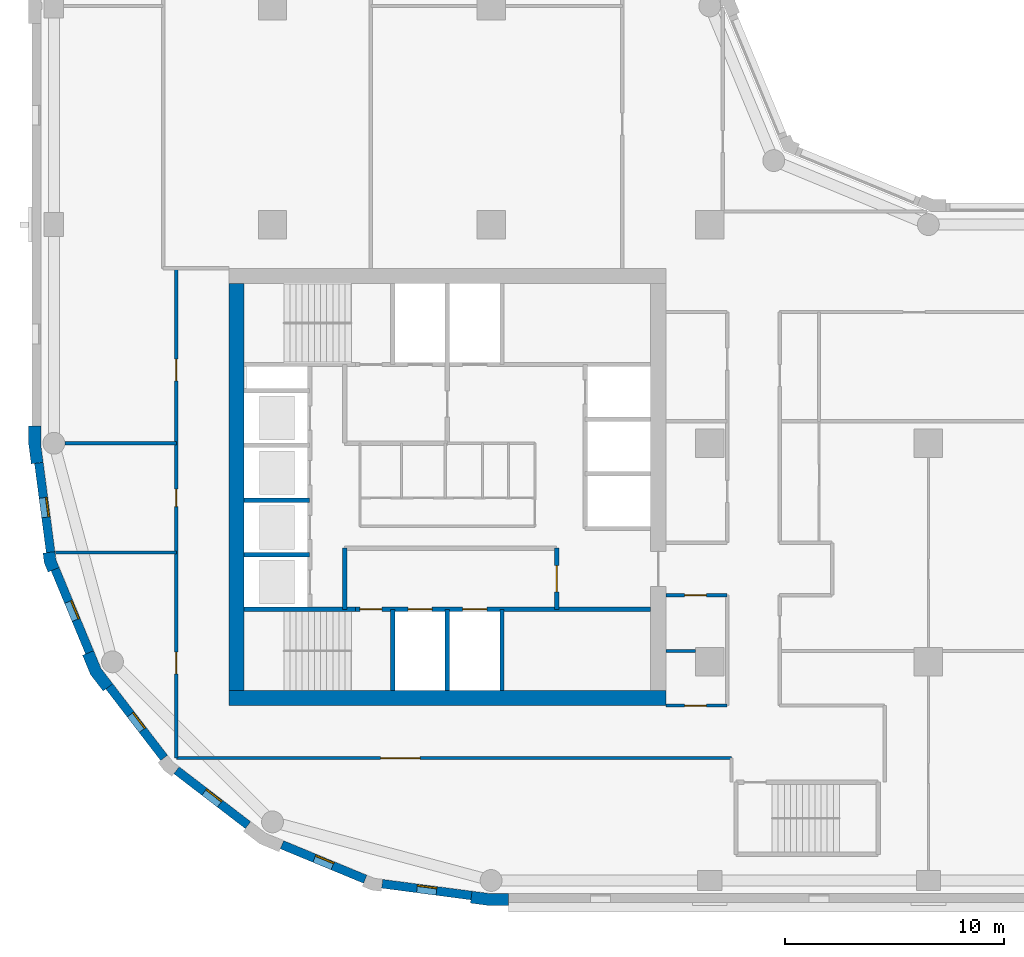
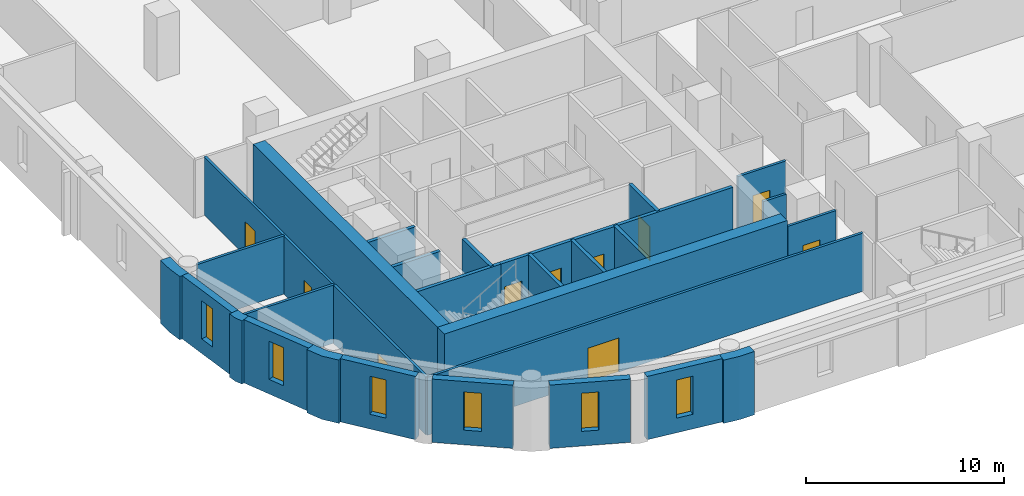
# One storey, part 2 of 10: 28 walls, 10 doors, 6 windows, 16 openings.
"""IFC4 building model written with IfcOpenShell, lengths in metres."""

from ifc_helpers import new_model, si_unit, direction, frame, frame_2d, origin, place, context, subcontext, project, spatial, polyline, rectangle, outline, extrude, material, layer, layer_set, type_object, element, fill, save


model = new_model("IFC4")

# Units and contexts
model_context = context("Model", 3, precision=1e-05, world=origin(), true_north=direction((0.0, 1.0)))
body_context = subcontext(model_context, "Body", "Model", "MODEL_VIEW")
ifc_project = project(units=[si_unit("LENGTHUNIT", "METRE"), si_unit("AREAUNIT", "SQUARE_METRE"), si_unit("VOLUMEUNIT", "CUBIC_METRE"), si_unit("PLANEANGLEUNIT", "RADIAN"), si_unit("MASSUNIT", "GRAM", prefix="KILO")], contexts=[model_context])

# Site, building, storey
site_placement = place(None, origin())
site = spatial("IfcSite", under=ifc_project, at=site_placement, CompositionType="ELEMENT")
building_placement = place(site_placement, origin())
building = spatial("IfcBuilding", under=site, at=building_placement, Name="Qaws Garden Tower", CompositionType="ELEMENT")
storey_placement = place(building_placement, frame((0.0, 0.0, 186.300048828125)))
storey = spatial("IfcBuildingStorey", under=building, at=storey_placement, Name="L45", CompositionType="ELEMENT", Elevation=186.300048828125)

# Wall, opening, window
ifc_material_1 = material(Name="Clay facing brick masonry", Category="masonry")
ifc_layer_1 = layer(ifc_material_1, 0.39990234375)
ifc_layer_set_1 = layer_set([ifc_layer_1], Name="Clay facing brick masonry")
wall_type_1 = type_object("IfcWallType", Name="Brick infill wall 400", PredefinedType="SOLIDWALL", material=ifc_layer_set_1)
wall_1_placement = place(storey_placement, frame((-0.688720703125, 19.102294921875, 0.0), z_axis=(0.0, 0.0, 1.0), x_axis=(0.130514280502, -0.991446429508, 0.0)))
wall_1 = element("IfcWall", 1, at=wall_1_placement, inside=storey, type_object=wall_type_1, Name="E-L45-infill-25", PredefinedType="SOLIDWALL", context=body_context, shape_type="SweptSolid", body=[
    extrude(rectangle(XDim=4.120849609375, YDim=0.39990234375, at=frame_2d((2.060546875, 0.0))), origin(), (0.0, 0.0, 1.0), 3.89990234375),
])
opening_1_placement = place(wall_1_placement, frame((1.610595703125, 0.0, 0.89990234375)))
opening_1 = element("IfcOpeningElement", 2, at=opening_1_placement, cuts=wall_1, Name="Opening W09", PredefinedType="OPENING", context=body_context, shape_type="SweptSolid", body=[
    extrude(rectangle(XDim=0.89990234375, YDim=2.35009765625, at=frame_2d((0.449951171875, 1.175048828125))), frame((0.0, 0.2099609375, 0.0), z_axis=(0.0, -1.0, 0.0), x_axis=(1.0, 0.0, 0.0)), (0.0, 0.0, 1.0), 0.419921875),
])
ifc_material_2 = material(Name="Aluminium framed window, clear glazing", Category="aluminium")
window_type = type_object("IfcWindowType", Name="Slit window 900 x 2350", PartitioningType="SINGLE_PANEL", PredefinedType="WINDOW", material=ifc_material_2)
window_1_placement = place(opening_1_placement, origin())
window_1 = element("IfcWindow", 3, at=window_1_placement, inside=storey, type_object=window_type, Name="E-L45-window-25-0", OverallHeight=2.35009765625, OverallWidth=0.89990234375, PartitioningType="SINGLE_PANEL", PredefinedType="WINDOW", context=body_context, shape_type="SweptSolid", body=[
    extrude(rectangle(XDim=0.89990234375, YDim=2.35009765625, at=frame_2d((0.449951171875, 1.175048828125))), frame((0.0, 0.159912109375, 0.0), z_axis=(0.0, -1.0, 0.0), x_axis=(1.0, 0.0, 0.0)), (0.0, 0.0, 1.0), 0.06005859375),
])
fill(opening_1, window_1)

wall_2_placement = place(storey_placement, frame((0.05712890625, 14.240234375, 0.0), z_axis=(0.0, 0.0, 1.0), x_axis=(0.382721546029, -0.923863744394, 0.0)))
wall_2 = element("IfcWall", 4, at=wall_2_placement, inside=storey, type_object=wall_type_1, Name="E-L45-infill-26", PredefinedType="SOLIDWALL", context=body_context, shape_type="SweptSolid", body=[
    extrude(rectangle(XDim=4.120849609375, YDim=0.39990234375, at=frame_2d((2.060546875, 0.0))), origin(), (0.0, 0.0, 1.0), 3.89990234375),
])
opening_2_placement = place(wall_2_placement, frame((1.610595703125, 0.0, 0.89990234375)))
opening_2 = element("IfcOpeningElement", 5, at=opening_2_placement, cuts=wall_2, Name="Opening W09", PredefinedType="OPENING", context=body_context, shape_type="SweptSolid", body=[
    extrude(rectangle(XDim=0.89990234375, YDim=2.35009765625, at=frame_2d((0.449951171875, 1.175048828125))), frame((0.0, 0.2099609375, 0.0), z_axis=(0.0, -1.0, 0.0), x_axis=(1.0, 0.0, 0.0)), (0.0, 0.0, 1.0), 0.419921875),
])
window_2_placement = place(opening_2_placement, origin())
window_2 = element("IfcWindow", 6, at=window_2_placement, inside=storey, type_object=window_type, Name="E-L45-window-26-0", OverallHeight=2.35009765625, OverallWidth=0.89990234375, PartitioningType="SINGLE_PANEL", PredefinedType="WINDOW", context=body_context, shape_type="SweptSolid", body=[
    extrude(rectangle(XDim=0.89990234375, YDim=2.35009765625, at=frame_2d((0.449951171875, 1.175048828125))), frame((0.0, 0.159912109375, 0.0), z_axis=(0.0, -1.0, 0.0), x_axis=(1.0, 0.0, 0.0)), (0.0, 0.0, 1.0), 0.06005859375),
])
fill(opening_2, window_2)

wall_3_placement = place(storey_placement, frame((2.53173828125, 8.87841796875, 0.0), z_axis=(0.0, 0.0, 1.0), x_axis=(0.608759824817, -0.793354571229, 0.0)))
wall_3 = element("IfcWall", 7, at=wall_3_placement, inside=storey, type_object=wall_type_1, Name="E-L45-infill-27", PredefinedType="SOLIDWALL", context=body_context, shape_type="SweptSolid", body=[
    extrude(rectangle(XDim=4.12109375, YDim=0.39990234375, at=frame_2d((2.060546875, 0.0))), origin(), (0.0, 0.0, 1.0), 3.89990234375),
])
opening_3_placement = place(wall_3_placement, frame((1.610595703125, 0.0, 0.89990234375)))
opening_3 = element("IfcOpeningElement", 8, at=opening_3_placement, cuts=wall_3, Name="Opening W09", PredefinedType="OPENING", context=body_context, shape_type="SweptSolid", body=[
    extrude(rectangle(XDim=0.89990234375, YDim=2.35009765625, at=frame_2d((0.449951171875, 1.175048828125))), frame((0.0, 0.2099609375, 0.0), z_axis=(0.0, -1.0, 0.0), x_axis=(1.0, 0.0, 0.0)), (0.0, 0.0, 1.0), 0.419921875),
])
window_3_placement = place(opening_3_placement, origin())
window_3 = element("IfcWindow", 9, at=window_3_placement, inside=storey, type_object=window_type, Name="E-L45-window-27-0", OverallHeight=2.35009765625, OverallWidth=0.89990234375, PartitioningType="SINGLE_PANEL", PredefinedType="WINDOW", context=body_context, shape_type="SweptSolid", body=[
    extrude(rectangle(XDim=0.89990234375, YDim=2.35009765625, at=frame_2d((0.449951171875, 1.175048828125))), frame((0.0, 0.159912109375, 0.0), z_axis=(0.0, -1.0, 0.0), x_axis=(1.0, 0.0, 0.0)), (0.0, 0.0, 1.0), 0.06005859375),
])
fill(opening_3, window_3)

wall_4_placement = place(storey_placement, frame((5.60888671875, 5.04052734375, 0.0), z_axis=(0.0, 0.0, 1.0), x_axis=(0.793354571229, -0.608759824817, 0.0)))
wall_4 = element("IfcWall", 10, at=wall_4_placement, inside=storey, type_object=wall_type_1, Name="E-L45-infill-28", PredefinedType="SOLIDWALL", context=body_context, shape_type="SweptSolid", body=[
    extrude(rectangle(XDim=4.12109375, YDim=0.39990234375, at=frame_2d((2.060546875, 0.0))), origin(), (0.0, 0.0, 1.0), 3.89990234375),
])
opening_4_placement = place(wall_4_placement, frame((1.610595703125, 0.0, 0.89990234375)))
opening_4 = element("IfcOpeningElement", 11, at=opening_4_placement, cuts=wall_4, Name="Opening W09", PredefinedType="OPENING", context=body_context, shape_type="SweptSolid", body=[
    extrude(rectangle(XDim=0.89990234375, YDim=2.35009765625, at=frame_2d((0.449951171875, 1.175048828125))), frame((0.0, 0.2099609375, 0.0), z_axis=(0.0, -1.0, 0.0), x_axis=(1.0, 0.0, 0.0)), (0.0, 0.0, 1.0), 0.419921875),
])
window_4_placement = place(opening_4_placement, origin())
window_4 = element("IfcWindow", 12, at=window_4_placement, inside=storey, type_object=window_type, Name="E-L45-window-28-0", OverallHeight=2.35009765625, OverallWidth=0.89990234375, PartitioningType="SINGLE_PANEL", PredefinedType="WINDOW", context=body_context, shape_type="SweptSolid", body=[
    extrude(rectangle(XDim=0.89990234375, YDim=2.35009765625, at=frame_2d((0.449951171875, 1.175048828125))), frame((0.0, 0.159912109375, 0.0), z_axis=(0.0, -1.0, 0.0), x_axis=(1.0, 0.0, 0.0)), (0.0, 0.0, 1.0), 0.06005859375),
])
fill(opening_4, window_4)

wall_5_placement = place(storey_placement, frame((10.43310546875, 1.63427734375, 0.0), z_axis=(0.0, 0.0, 1.0), x_axis=(0.923863744394, -0.382721546029, 0.0)))
wall_5 = element("IfcWall", 13, at=wall_5_placement, inside=storey, type_object=wall_type_1, Name="E-L45-infill-29", PredefinedType="SOLIDWALL", context=body_context, shape_type="SweptSolid", body=[
    extrude(rectangle(XDim=4.120849609375, YDim=0.39990234375, at=frame_2d((2.060546875, 0.0))), origin(), (0.0, 0.0, 1.0), 3.89990234375),
])
opening_5_placement = place(wall_5_placement, frame((1.610595703125, 0.0, 0.89990234375)))
opening_5 = element("IfcOpeningElement", 14, at=opening_5_placement, cuts=wall_5, Name="Opening W09", PredefinedType="OPENING", context=body_context, shape_type="SweptSolid", body=[
    extrude(rectangle(XDim=0.89990234375, YDim=2.35009765625, at=frame_2d((0.449951171875, 1.175048828125))), frame((0.0, 0.2099609375, 0.0), z_axis=(0.0, -1.0, 0.0), x_axis=(1.0, 0.0, 0.0)), (0.0, 0.0, 1.0), 0.419921875),
])
window_5_placement = place(opening_5_placement, origin())
window_5 = element("IfcWindow", 15, at=window_5_placement, inside=storey, type_object=window_type, Name="E-L45-window-29-0", OverallHeight=2.35009765625, OverallWidth=0.89990234375, PartitioningType="SINGLE_PANEL", PredefinedType="WINDOW", context=body_context, shape_type="SweptSolid", body=[
    extrude(rectangle(XDim=0.89990234375, YDim=2.35009765625, at=frame_2d((0.449951171875, 1.175048828125))), frame((0.0, 0.159912109375, 0.0), z_axis=(0.0, -1.0, 0.0), x_axis=(1.0, 0.0, 0.0)), (0.0, 0.0, 1.0), 0.06005859375),
])
fill(opening_5, window_5)

wall_6_placement = place(storey_placement, frame((15.0166015625, -0.15087890625, 0.0), z_axis=(0.0, 0.0, 1.0), x_axis=(0.991446429508, -0.130514280502, 0.0)))
wall_6 = element("IfcWall", 16, at=wall_6_placement, inside=storey, type_object=wall_type_1, Name="E-L45-infill-30", PredefinedType="SOLIDWALL", context=body_context, shape_type="SweptSolid", body=[
    extrude(rectangle(XDim=4.120849609375, YDim=0.39990234375, at=frame_2d((2.060546875, 0.0))), origin(), (0.0, 0.0, 1.0), 3.89990234375),
])
opening_6_placement = place(wall_6_placement, frame((1.610595703125, 0.0, 0.89990234375)))
opening_6 = element("IfcOpeningElement", 17, at=opening_6_placement, cuts=wall_6, Name="Opening W09", PredefinedType="OPENING", context=body_context, shape_type="SweptSolid", body=[
    extrude(rectangle(XDim=0.89990234375, YDim=2.35009765625, at=frame_2d((0.449951171875, 1.175048828125))), frame((0.0, 0.2099609375, 0.0), z_axis=(0.0, -1.0, 0.0), x_axis=(1.0, 0.0, 0.0)), (0.0, 0.0, 1.0), 0.419921875),
])
window_6_placement = place(opening_6_placement, origin())
window_6 = element("IfcWindow", 18, at=window_6_placement, inside=storey, type_object=window_type, Name="E-L45-window-30-0", OverallHeight=2.35009765625, OverallWidth=0.89990234375, PartitioningType="SINGLE_PANEL", PredefinedType="WINDOW", context=body_context, shape_type="SweptSolid", body=[
    extrude(rectangle(XDim=0.89990234375, YDim=2.35009765625, at=frame_2d((0.449951171875, 1.175048828125))), frame((0.0, 0.159912109375, 0.0), z_axis=(0.0, -1.0, 0.0), x_axis=(1.0, 0.0, 0.0)), (0.0, 0.0, 1.0), 0.06005859375),
])
fill(opening_6, window_6)

# Walls
ifc_material_3 = material(Name="Clay facing brick masonry", Category="masonry")
ifc_layer_2 = layer(ifc_material_3, 0.550048828125)
ifc_layer_set_2 = layer_set([ifc_layer_2], Name="Clay facing brick masonry")
wall_type_2 = type_object("IfcWallType", Name="Brick kink pier 550 x 600", PredefinedType="SOLIDWALL", material=ifc_layer_set_2)
placement = place(storey_placement, origin())
element("IfcWall", 19, at=placement, inside=storey, type_object=wall_type_2, Name="E-L45-pier-26", PredefinedType="SOLIDWALL", context=body_context, shape_type="SweptSolid", body=[
    extrude(outline(polyline([(-0.34912109375, 14.990478515625), (-0.497802734375, 14.970947265625), (-0.43896484375, 14.5234375), (-0.26611328125, 14.1064453125), (-0.127685546875, 14.163818359375), (0.241943359375, 14.31689453125), (0.096923828125, 14.6669921875), (0.04736328125, 15.042724609375), (-0.34912109375, 14.990478515625)])), origin(), (0.0, 0.0, 1.0), 3.89990234375),
])
ifc_material_4 = material(Name="Clay facing brick masonry", Category="masonry")
ifc_layer_3 = layer(ifc_material_4, 0.550048828125)
ifc_layer_set_3 = layer_set([ifc_layer_3], Name="Clay facing brick masonry")
wall_type_3 = type_object("IfcWallType", Name="Brick pier 550 x 1600", PredefinedType="SOLIDWALL", material=ifc_layer_set_3)
element("IfcWall", 20, at=placement, inside=storey, type_object=wall_type_3, Name="E-L45-pier-00", PredefinedType="SOLIDWALL", context=body_context, shape_type="SweptSolid", body=[
    extrude(outline(polyline([(19.076416015625, -0.886962890625), (19.056640625, -1.03564453125), (19.924560546875, -1.14990234375), (20.800048828125, -1.14990234375), (20.800048828125, -1.0), (20.800048828125, -0.60009765625), (19.960693359375, -0.60009765625), (19.12841796875, -0.490478515625), (19.076416015625, -0.886962890625)])), origin(), (0.0, 0.0, 1.0), 3.89990234375),
])
element("IfcWall", 21, at=placement, inside=storey, type_object=wall_type_3, Name="E-L45-pier-25", PredefinedType="SOLIDWALL", context=body_context, shape_type="SweptSolid", body=[
    extrude(outline(polyline([(-1.0, 20.800048828125), (-1.14990234375, 20.800048828125), (-1.14990234375, 19.924560546875), (-1.03564453125, 19.056640625), (-0.886962890625, 19.076416015625), (-0.490478515625, 19.12841796875), (-0.60009765625, 19.960693359375), (-0.60009765625, 20.800048828125), (-1.0, 20.800048828125)])), origin(), (0.0, 0.0, 1.0), 3.89990234375),
])
element("IfcWall", 22, at=placement, inside=storey, type_object=wall_type_3, Name="E-L45-pier-27", PredefinedType="SOLIDWALL", context=body_context, shape_type="SweptSolid", body=[
    extrude(outline(polyline([(1.449462890625, 10.3564453125), (1.310791015625, 10.299072265625), (1.675048828125, 9.419921875), (2.254150390625, 8.665283203125), (2.373046875, 8.756591796875), (2.6904296875, 9.0), (2.1552734375, 9.697509765625), (1.819091796875, 10.509521484375), (1.449462890625, 10.3564453125)])), origin(), (0.0, 0.0, 1.0), 3.89990234375),
])
ifc_material_5 = material(Name="Concrete C70", Category="concrete")
ifc_layer_4 = layer(ifc_material_5, 0.199951171875)
ifc_layer_set_4 = layer_set([ifc_layer_4], Name="Concrete C70")
wall_type_4 = type_object("IfcWallType", Name="Core shaft wall 200 C70", PredefinedType="SHEAR", material=ifc_layer_set_4)
wall_11_placement = place(storey_placement, frame((8.699951171875, 12.39990234375, 0.0), z_axis=(0.0, 0.0, 1.0), x_axis=(1.0, 0.0, 0.0)))
element("IfcWall", 23, at=wall_11_placement, inside=storey, type_object=wall_type_4, Name="Shaft wall", PredefinedType="SHEAR", context=body_context, shape_type="SweptSolid", body=[
    extrude(rectangle(XDim=5.10009765625, YDim=0.199951171875, at=frame_2d((2.550048828125, 0.0))), origin(), (0.0, 0.0, 1.0), 3.579833984375),
])

# Wall, openings, doors
wall_12_placement = place(storey_placement, frame((13.800048828125, 12.39990234375, 0.0), z_axis=(0.0, 0.0, 1.0), x_axis=(1.0, 0.0, 0.0)))
wall_12 = element("IfcWall", 24, at=wall_12_placement, inside=storey, type_object=wall_type_4, Name="Shaft wall", PredefinedType="SHEAR", context=body_context, shape_type="SweptSolid", body=[
    extrude(rectangle(XDim=13.5, YDim=0.199951171875, at=frame_2d((6.75, 0.0))), origin(), (0.0, 0.0, 1.0), 3.579833984375),
])
opening_7_placement = place(wall_12_placement, frame((2.39990234375, 0.0, 0.0)))
opening_7 = element("IfcOpeningElement", 25, at=opening_7_placement, cuts=wall_12, Name="Opening LD06", PredefinedType="OPENING", context=body_context, shape_type="SweptSolid", body=[
    extrude(rectangle(XDim=1.10009765625, YDim=2.10009765625, at=frame_2d((0.550048828125, 1.050048828125))), frame((0.0, 0.10986328125, 0.0), z_axis=(0.0, -1.0, 0.0), x_axis=(1.0, 0.0, 0.0)), (0.0, 0.0, 1.0), 0.219970703125),
])
opening_8_placement = place(wall_12_placement, frame((4.89990234375, 0.0, 0.0)))
opening_8 = element("IfcOpeningElement", 26, at=opening_8_placement, cuts=wall_12, Name="Opening LD07", PredefinedType="OPENING", context=body_context, shape_type="SweptSolid", body=[
    extrude(rectangle(XDim=1.10009765625, YDim=2.10009765625, at=frame_2d((0.550048828125, 1.050048828125))), frame((0.0, 0.10986328125, 0.0), z_axis=(0.0, -1.0, 0.0), x_axis=(1.0, 0.0, 0.0)), (0.0, 0.0, 1.0), 0.219970703125),
])
opening_9_placement = place(wall_12_placement, frame((0.199951171875, 0.0, 0.0)))
opening_9 = element("IfcOpeningElement", 27, at=opening_9_placement, cuts=wall_12, Name="Opening SD10", PredefinedType="OPENING", context=body_context, shape_type="SweptSolid", body=[
    extrude(rectangle(XDim=1.0, YDim=2.10009765625, at=frame_2d((0.5, 1.050048828125))), frame((0.0, 0.10986328125, 0.0), z_axis=(0.0, -1.0, 0.0), x_axis=(1.0, 0.0, 0.0)), (0.0, 0.0, 1.0), 0.219970703125),
])
ifc_material_6 = material(Name="Steel S235", Category="steel")
door_type_1 = type_object("IfcDoorType", Name="Landing door 1100x2100", OperationType="DOUBLE_DOOR_SLIDING", PredefinedType="DOOR", material=ifc_material_6)
door_1_placement = place(opening_7_placement, origin())
door_1 = element("IfcDoor", 28, at=door_1_placement, inside=storey, type_object=door_type_1, Name="Lift FF1 landing door", OperationType="DOUBLE_DOOR_SLIDING", OverallHeight=2.10009765625, OverallWidth=1.10009765625, PredefinedType="DOOR", context=body_context, shape_type="SweptSolid", body=[
    extrude(rectangle(XDim=1.10009765625, YDim=2.10009765625, at=frame_2d((0.550048828125, 1.050048828125))), frame((0.0, 0.02490234375, 0.0), z_axis=(0.0, -1.0, 0.0), x_axis=(1.0, 0.0, 0.0)), (0.0, 0.0, 1.0), 0.050048828125),
])
fill(opening_7, door_1)
door_2_placement = place(opening_8_placement, origin())
door_2 = element("IfcDoor", 29, at=door_2_placement, inside=storey, type_object=door_type_1, Name="Lift FF2 landing door", OperationType="DOUBLE_DOOR_SLIDING", OverallHeight=2.10009765625, OverallWidth=1.10009765625, PredefinedType="DOOR", context=body_context, shape_type="SweptSolid", body=[
    extrude(rectangle(XDim=1.10009765625, YDim=2.10009765625, at=frame_2d((0.550048828125, 1.050048828125))), frame((0.0, 0.02490234375, 0.0), z_axis=(0.0, -1.0, 0.0), x_axis=(1.0, 0.0, 0.0)), (0.0, 0.0, 1.0), 0.050048828125),
])
fill(opening_8, door_2)
ifc_material_7 = material(Name="Steel S235", Category="steel")
door_type_2 = type_object("IfcDoorType", Name="Stair door 1000x2100", OperationType="SINGLE_SWING_RIGHT", PredefinedType="DOOR", material=ifc_material_7)
door_3_placement = place(opening_9_placement, frame((1.0, 0.0, 0.0), z_axis=(0.0, 0.0, 1.0), x_axis=(-1.0, 0.0, 0.0)))
door_3 = element("IfcDoor", 30, at=door_3_placement, inside=storey, type_object=door_type_2, Name="Stair 1 door", OperationType="SINGLE_SWING_LEFT", OverallHeight=2.10009765625, OverallWidth=1.0, PredefinedType="DOOR", context=body_context, shape_type="SweptSolid", body=[
    extrude(rectangle(XDim=1.0, YDim=2.10009765625, at=frame_2d((0.5, 1.050048828125))), frame((0.0, 0.02490234375, 0.0), z_axis=(0.0, -1.0, 0.0), x_axis=(1.0, 0.0, 0.0)), (0.0, 0.0, 1.0), 0.050048828125),
])
fill(opening_9, door_3)

# Walls
for number, where, z_axis, x_axis, name in (
    (31, (8.699951171875, 14.89990234375, 0.0), (0.0, 0.0, 1.0), (1.0, 0.0, 0.0), "Shaft wall"),
    (32, (8.699951171875, 17.39990234375, 0.0), (0.0, 0.0, 1.0), (1.0, 0.0, 0.0), "Shaft wall"),
):
    element("IfcWall", number, at=place(storey_placement, frame(where, z_axis=z_axis, x_axis=x_axis)), inside=storey, type_object=wall_type_4, Name=name, PredefinedType="SHEAR", context=body_context, shape_type="SweptSolid", body=[
        extrude(rectangle(XDim=3.0, YDim=0.199951171875, at=frame_2d((1.5, 0.0))), origin(), (0.0, 0.0, 1.0), 3.579833984375),
    ])
wall_13_placement = place(storey_placement, frame((13.300048828125, 12.39990234375, 0.0), z_axis=(0.0, 0.0, 1.0), x_axis=(0.0, 1.0, 0.0)))
element("IfcWall", 33, at=wall_13_placement, inside=storey, type_object=wall_type_4, Name="Shaft wall", PredefinedType="SHEAR", context=body_context, shape_type="SweptSolid", body=[
    extrude(rectangle(XDim=2.800048828125, YDim=0.199951171875, at=frame_2d((1.39990234375, 0.0))), origin(), (0.0, 0.0, 1.0), 3.579833984375),
])
for number, where, z_axis, x_axis, name in (
    (34, (15.5, 8.699951171875, 0.0), (0.0, 0.0, 1.0), (0.0, 1.0, 0.0), "Shaft wall"),
    (35, (18.0, 8.699951171875, 0.0), (0.0, 0.0, 1.0), (0.0, 1.0, 0.0), "Shaft wall"),
    (36, (20.5, 8.699951171875, 0.0), (0.0, 0.0, 1.0), (0.0, 1.0, 0.0), "Shaft wall"),
):
    element("IfcWall", number, at=place(storey_placement, frame(where, z_axis=z_axis, x_axis=x_axis)), inside=storey, type_object=wall_type_4, Name=name, PredefinedType="SHEAR", context=body_context, shape_type="SweptSolid", body=[
        extrude(rectangle(XDim=3.699951171875, YDim=0.199951171875, at=frame_2d((1.85009765625, 0.0))), origin(), (0.0, 0.0, 1.0), 3.579833984375),
    ])

# Wall, opening, door
wall_14_placement = place(storey_placement, frame((23.0, 12.39990234375, 0.0), z_axis=(0.0, 0.0, 1.0), x_axis=(0.0, 1.0, 0.0)))
wall_14 = element("IfcWall", 37, at=wall_14_placement, inside=storey, type_object=wall_type_4, Name="Shaft wall", PredefinedType="SHEAR", context=body_context, shape_type="SweptSolid", body=[
    extrude(rectangle(XDim=2.800048828125, YDim=0.199951171875, at=frame_2d((1.39990234375, 0.0))), origin(), (0.0, 0.0, 1.0), 3.579833984375),
])
opening_10_placement = place(wall_14_placement, frame((0.800048828125, 0.0, 0.0)))
opening_10 = element("IfcOpeningElement", 38, at=opening_10_placement, cuts=wall_14, Name="Opening FD15", PredefinedType="OPENING", context=body_context, shape_type="SweptSolid", body=[
    extrude(rectangle(XDim=1.199951171875, YDim=2.10009765625, at=frame_2d((0.60009765625, 1.050048828125))), frame((0.0, 0.10986328125, 0.0), z_axis=(0.0, -1.0, 0.0), x_axis=(1.0, 0.0, 0.0)), (0.0, 0.0, 1.0), 0.219970703125),
])
ifc_material_8 = material(Name="Steel S235", Category="steel")
door_type_3 = type_object("IfcDoorType", Name="Lobby door 1200x2100", OperationType="DOUBLE_DOOR_SINGLE_SWING", PredefinedType="DOOR", material=ifc_material_8)
door_4_placement = place(opening_10_placement, origin())
door_4 = element("IfcDoor", 39, at=door_4_placement, inside=storey, type_object=door_type_3, Name="Fire-fighting lobby door", OperationType="DOUBLE_DOOR_SINGLE_SWING", OverallHeight=2.10009765625, OverallWidth=1.199951171875, PredefinedType="DOOR", context=body_context, shape_type="SweptSolid", body=[
    extrude(rectangle(XDim=1.199951171875, YDim=2.10009765625, at=frame_2d((0.60009765625, 1.050048828125))), frame((0.0, 0.02490234375, 0.0), z_axis=(0.0, -1.0, 0.0), x_axis=(1.0, 0.0, 0.0)), (0.0, 0.0, 1.0), 0.050048828125),
])
fill(opening_10, door_4)

# Walls
ifc_material_9 = material(Name="Concrete C70", Category="concrete")
ifc_layer_5 = layer(ifc_material_9, 0.699951171875)
ifc_layer_set_5 = layer_set([ifc_layer_5], Name="Concrete C70")
wall_type_5 = type_object("IfcWallType", Name="Core wall 700 C70", PredefinedType="SHEAR", material=ifc_layer_set_5)
wall_15_placement = place(storey_placement, frame((8.0, 8.35009765625, 0.0), z_axis=(0.0, 0.0, 1.0), x_axis=(1.0, 0.0, 0.0)))
element("IfcWall", 40, at=wall_15_placement, inside=storey, type_object=wall_type_5, Name="Core wall L45 south", PredefinedType="SHEAR", context=body_context, shape_type="SweptSolid", body=[
    extrude(rectangle(XDim=20.0, YDim=0.699951171875, at=frame_2d((10.0, 0.0))), origin(), (0.0, 0.0, 1.0), 3.89990234375),
])
wall_16_placement = place(storey_placement, frame((8.35009765625, 27.300048828125, 0.0), z_axis=(0.0, 0.0, 1.0), x_axis=(0.0, -1.0, 0.0)))
element("IfcWall", 41, at=wall_16_placement, inside=storey, type_object=wall_type_5, Name="Core wall L45 west", PredefinedType="SHEAR", context=body_context, shape_type="SweptSolid", body=[
    extrude(rectangle(XDim=18.60009765625, YDim=0.699951171875, at=frame_2d((9.300048828125, 0.0))), origin(), (0.0, 0.0, 1.0), 3.89990234375),
])

# Wall, openings, doors
ifc_material_10 = material(Name="Gypsum board partition")
ifc_layer_6 = layer(ifc_material_10, 0.14990234375)
ifc_layer_set_6 = layer_set([ifc_layer_6], Name="Gypsum board partition")
wall_type_6 = type_object("IfcWallType", Name="PARTITION 150 EI 60", PredefinedType="PARTITIONING", material=ifc_layer_set_6)
wall_17_placement = place(storey_placement, frame((5.60009765625, 5.60009765625, 0.0), z_axis=(0.0, 0.0, 1.0), x_axis=(0.0, 1.0, 0.0)))
wall_17 = element("IfcWall", 42, at=wall_17_placement, inside=storey, type_object=wall_type_6, Name="O-L45-wall-009", PredefinedType="PARTITIONING", context=body_context, shape_type="SweptSolid", body=[
    extrude(rectangle(XDim=22.39990234375, YDim=0.14990234375, at=frame_2d((11.199951171875, 0.0))), origin(), (0.0, 0.0, 1.0), 3.579833984375),
])
opening_11_placement = place(wall_17_placement, frame((3.85009765625, 0.0, 0.0)))
opening_11 = element("IfcOpeningElement", 43, at=opening_11_placement, cuts=wall_17, Name="Opening B501", PredefinedType="OPENING", context=body_context, shape_type="SweptSolid", body=[
    extrude(rectangle(XDim=1.0, YDim=2.10009765625, at=frame_2d((0.5, 1.050048828125))), frame((0.0, 0.0849609375, 0.0), z_axis=(0.0, -1.0, 0.0), x_axis=(1.0, 0.0, 0.0)), (0.0, 0.0, 1.0), 0.169921875),
])
opening_12_placement = place(wall_17_placement, frame((11.5, 0.0, 0.0)))
opening_12 = element("IfcOpeningElement", 44, at=opening_12_placement, cuts=wall_17, Name="Opening B502", PredefinedType="OPENING", context=body_context, shape_type="SweptSolid", body=[
    extrude(rectangle(XDim=0.800048828125, YDim=2.10009765625, at=frame_2d((0.39990234375, 1.050048828125))), frame((0.0, 0.0849609375, 0.0), z_axis=(0.0, -1.0, 0.0), x_axis=(1.0, 0.0, 0.0)), (0.0, 0.0, 1.0), 0.169921875),
])
opening_13_placement = place(wall_17_placement, frame((17.25, 0.0, 0.0)))
opening_13 = element("IfcOpeningElement", 45, at=opening_13_placement, cuts=wall_17, Name="Opening B511", PredefinedType="OPENING", context=body_context, shape_type="SweptSolid", body=[
    extrude(rectangle(XDim=1.0, YDim=2.10009765625, at=frame_2d((0.5, 1.050048828125))), frame((0.0, 0.0849609375, 0.0), z_axis=(0.0, -1.0, 0.0), x_axis=(1.0, 0.0, 0.0)), (0.0, 0.0, 1.0), 0.169921875),
])
ifc_material_11 = material(Name="Timber door leaf", Category="wood")
door_type_4 = type_object("IfcDoorType", Name="STORE DOOR 800 X 2100", OperationType="SINGLE_SWING_LEFT", PredefinedType="DOOR", material=ifc_material_11)
door_5_placement = place(opening_12_placement, origin())
door_5 = element("IfcDoor", 46, at=door_5_placement, inside=storey, type_object=door_type_4, Name="O-L45-door-002", OperationType="SINGLE_SWING_RIGHT", OverallHeight=2.10009765625, OverallWidth=0.800048828125, PredefinedType="DOOR", context=body_context, shape_type="SweptSolid", body=[
    extrude(rectangle(XDim=0.800048828125, YDim=2.10009765625, at=frame_2d((0.39990234375, 1.050048828125))), frame((0.0, 0.02490234375, 0.0), z_axis=(0.0, -1.0, 0.0), x_axis=(1.0, 0.0, 0.0)), (0.0, 0.0, 1.0), 0.050048828125),
])
fill(opening_12, door_5)
ifc_material_12 = material(Name="Timber door leaf", Category="wood")
door_type_5 = type_object("IfcDoorType", Name="TENANCY ENTRANCE DOOR 1000 X 2100", OperationType="SINGLE_SWING_LEFT", PredefinedType="DOOR", material=ifc_material_12)
door_6_placement = place(opening_11_placement, origin())
door_6 = element("IfcDoor", 47, at=door_6_placement, inside=storey, type_object=door_type_5, Name="O-L45-door-001", OperationType="SINGLE_SWING_RIGHT", OverallHeight=2.10009765625, OverallWidth=1.0, PredefinedType="DOOR", context=body_context, shape_type="SweptSolid", body=[
    extrude(rectangle(XDim=1.0, YDim=2.10009765625, at=frame_2d((0.5, 1.050048828125))), frame((0.0, 0.02490234375, 0.0), z_axis=(0.0, -1.0, 0.0), x_axis=(1.0, 0.0, 0.0)), (0.0, 0.0, 1.0), 0.050048828125),
])
fill(opening_11, door_6)
door_7_placement = place(opening_13_placement, origin())
door_7 = element("IfcDoor", 48, at=door_7_placement, inside=storey, type_object=door_type_5, Name="O-L45-door-011", OperationType="SINGLE_SWING_RIGHT", OverallHeight=2.10009765625, OverallWidth=1.0, PredefinedType="DOOR", context=body_context, shape_type="SweptSolid", body=[
    extrude(rectangle(XDim=1.0, YDim=2.10009765625, at=frame_2d((0.5, 1.050048828125))), frame((0.0, 0.02490234375, 0.0), z_axis=(0.0, -1.0, 0.0), x_axis=(1.0, 0.0, 0.0)), (0.0, 0.0, 1.0), 0.050048828125),
])
fill(opening_13, door_7)

# Wall, opening, door
wall_18_placement = place(storey_placement, frame((5.60009765625, 5.60009765625, 0.0), z_axis=(0.0, 0.0, 1.0), x_axis=(1.0, 0.0, 0.0)))
wall_18 = element("IfcWall", 49, at=wall_18_placement, inside=storey, type_object=wall_type_6, Name="O-L45-wall-028", PredefinedType="PARTITIONING", context=body_context, shape_type="SweptSolid", body=[
    extrude(rectangle(XDim=25.39990234375, YDim=0.14990234375, at=frame_2d((12.699951171875, 0.0))), origin(), (0.0, 0.0, 1.0), 3.579833984375),
])
opening_14_placement = place(wall_18_placement, frame((9.35009765625, 0.0, 0.0)))
opening_14 = element("IfcOpeningElement", 50, at=opening_14_placement, cuts=wall_18, Name="Opening B509", PredefinedType="OPENING", context=body_context, shape_type="SweptSolid", body=[
    extrude(rectangle(XDim=1.800048828125, YDim=2.10009765625, at=frame_2d((0.89990234375, 1.050048828125))), frame((0.0, 0.0849609375, 0.0), z_axis=(0.0, -1.0, 0.0), x_axis=(1.0, 0.0, 0.0)), (0.0, 0.0, 1.0), 0.169921875),
])
ifc_material_13 = material(Name="Timber door leaf", Category="wood")
door_type_6 = type_object("IfcDoorType", Name="DOUBLE DOOR 1800 X 2100", OperationType="DOUBLE_DOOR_SINGLE_SWING", PredefinedType="DOOR", material=ifc_material_13)
door_8_placement = place(opening_14_placement, frame((1.800048828125, 0.0, 0.0), z_axis=(0.0, 0.0, 1.0), x_axis=(-1.0, 0.0, 0.0)))
door_8 = element("IfcDoor", 51, at=door_8_placement, inside=storey, type_object=door_type_6, Name="O-L45-door-009", OperationType="DOUBLE_DOOR_SINGLE_SWING", OverallHeight=2.10009765625, OverallWidth=1.800048828125, PredefinedType="DOOR", context=body_context, shape_type="SweptSolid", body=[
    extrude(rectangle(XDim=1.800048828125, YDim=2.10009765625, at=frame_2d((0.89990234375, 1.050048828125))), frame((0.0, 0.02490234375, 0.0), z_axis=(0.0, -1.0, 0.0), x_axis=(1.0, 0.0, 0.0)), (0.0, 0.0, 1.0), 0.050048828125),
])
fill(opening_14, door_8)

wall_19_placement = place(storey_placement, frame((28.0, 8.0, 0.0), z_axis=(0.0, 0.0, 1.0), x_axis=(1.0, 0.0, 0.0)))
wall_19 = element("IfcWall", 52, at=wall_19_placement, inside=storey, type_object=wall_type_6, Name="O-L45-wall-029", PredefinedType="PARTITIONING", context=body_context, shape_type="SweptSolid", body=[
    extrude(rectangle(XDim=2.800048828125, YDim=0.14990234375, at=frame_2d((1.39990234375, 0.0))), origin(), (0.0, 0.0, 1.0), 3.579833984375),
])
opening_15_placement = place(wall_19_placement, frame((0.85009765625, 0.0, 0.0)))
opening_15 = element("IfcOpeningElement", 53, at=opening_15_placement, cuts=wall_19, Name="Opening B506", PredefinedType="OPENING", context=body_context, shape_type="SweptSolid", body=[
    extrude(rectangle(XDim=1.0, YDim=2.10009765625, at=frame_2d((0.5, 1.050048828125))), frame((0.0, 0.0849609375, 0.0), z_axis=(0.0, -1.0, 0.0), x_axis=(1.0, 0.0, 0.0)), (0.0, 0.0, 1.0), 0.169921875),
])
door_9_placement = place(opening_15_placement, origin())
door_9 = element("IfcDoor", 54, at=door_9_placement, inside=storey, type_object=door_type_5, Name="O-L45-door-006", OperationType="SINGLE_SWING_RIGHT", OverallHeight=2.10009765625, OverallWidth=1.0, PredefinedType="DOOR", context=body_context, shape_type="SweptSolid", body=[
    extrude(rectangle(XDim=1.0, YDim=2.10009765625, at=frame_2d((0.5, 1.050048828125))), frame((0.0, 0.02490234375, 0.0), z_axis=(0.0, -1.0, 0.0), x_axis=(1.0, 0.0, 0.0)), (0.0, 0.0, 1.0), 0.050048828125),
])
fill(opening_15, door_9)

# Wall
wall_20_placement = place(storey_placement, frame((28.0, 10.5, 0.0), z_axis=(0.0, 0.0, 1.0), x_axis=(1.0, 0.0, 0.0)))
element("IfcWall", 55, at=wall_20_placement, inside=storey, type_object=wall_type_6, Name="O-L45-wall-031", PredefinedType="PARTITIONING", context=body_context, shape_type="SweptSolid", body=[
    extrude(rectangle(XDim=1.35009765625, YDim=0.14990234375, at=frame_2d((0.675048828125, 0.0))), origin(), (0.0, 0.0, 1.0), 3.579833984375),
])

# Wall, opening, door
wall_21_placement = place(storey_placement, frame((28.0, 13.050048828125, 0.0), z_axis=(0.0, 0.0, 1.0), x_axis=(1.0, 0.0, 0.0)))
wall_21 = element("IfcWall", 56, at=wall_21_placement, inside=storey, type_object=wall_type_6, Name="O-L45-wall-034", PredefinedType="PARTITIONING", context=body_context, shape_type="SweptSolid", body=[
    extrude(rectangle(XDim=2.800048828125, YDim=0.14990234375, at=frame_2d((1.39990234375, 0.0))), origin(), (0.0, 0.0, 1.0), 3.579833984375),
])
opening_16_placement = place(wall_21_placement, frame((0.85009765625, 0.0, 0.0)))
opening_16 = element("IfcOpeningElement", 57, at=opening_16_placement, cuts=wall_21, Name="Opening B519", PredefinedType="OPENING", context=body_context, shape_type="SweptSolid", body=[
    extrude(rectangle(XDim=1.0, YDim=2.10009765625, at=frame_2d((0.5, 1.050048828125))), frame((0.0, 0.0849609375, 0.0), z_axis=(0.0, -1.0, 0.0), x_axis=(1.0, 0.0, 0.0)), (0.0, 0.0, 1.0), 0.169921875),
])
door_10_placement = place(opening_16_placement, frame((1.0, 0.0, 0.0), z_axis=(0.0, 0.0, 1.0), x_axis=(-1.0, 0.0, 0.0)))
door_10 = element("IfcDoor", 58, at=door_10_placement, inside=storey, type_object=door_type_5, Name="O-L45-door-019", OperationType="SINGLE_SWING_LEFT", OverallHeight=2.10009765625, OverallWidth=1.0, PredefinedType="DOOR", context=body_context, shape_type="SweptSolid", body=[
    extrude(rectangle(XDim=1.0, YDim=2.10009765625, at=frame_2d((0.5, 1.050048828125))), frame((0.0, 0.02490234375, 0.0), z_axis=(0.0, -1.0, 0.0), x_axis=(1.0, 0.0, 0.0)), (0.0, 0.0, 1.0), 0.050048828125),
])
fill(opening_16, door_10)

# Walls
wall_22_placement = place(storey_placement, frame((0.06298828125, 15.0, 0.0), z_axis=(0.0, 0.0, 1.0), x_axis=(1.0, 0.0, 0.0)))
element("IfcWall", 59, at=wall_22_placement, inside=storey, type_object=wall_type_6, Name="O-L45-wall-036", PredefinedType="PARTITIONING", context=body_context, shape_type="SweptSolid", body=[
    extrude(rectangle(XDim=5.537109375, YDim=0.14990234375, at=frame_2d((2.7685546875, 0.0))), origin(), (0.0, 0.0, 1.0), 3.579833984375),
])
wall_23_placement = place(storey_placement, frame((0.5, 20.0, 0.0), z_axis=(0.0, 0.0, 1.0), x_axis=(1.0, 0.0, 0.0)))
element("IfcWall", 60, at=wall_23_placement, inside=storey, type_object=wall_type_6, Name="O-L45-wall-039", PredefinedType="PARTITIONING", context=body_context, shape_type="SweptSolid", body=[
    extrude(rectangle(XDim=5.10009765625, YDim=0.14990234375, at=frame_2d((2.550048828125, 0.0))), origin(), (0.0, 0.0, 1.0), 3.579833984375),
])

save(model, "model.ifc")
